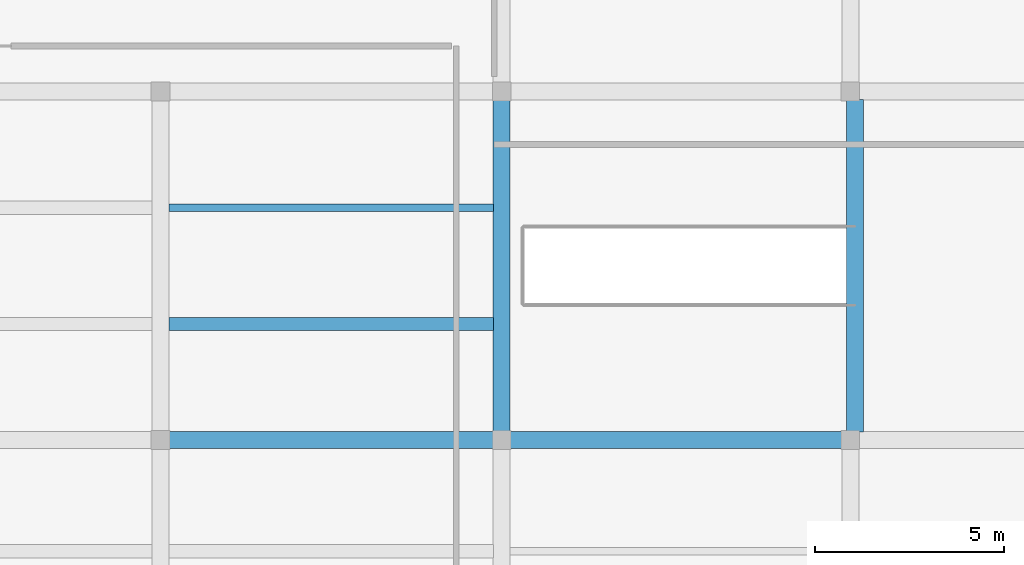
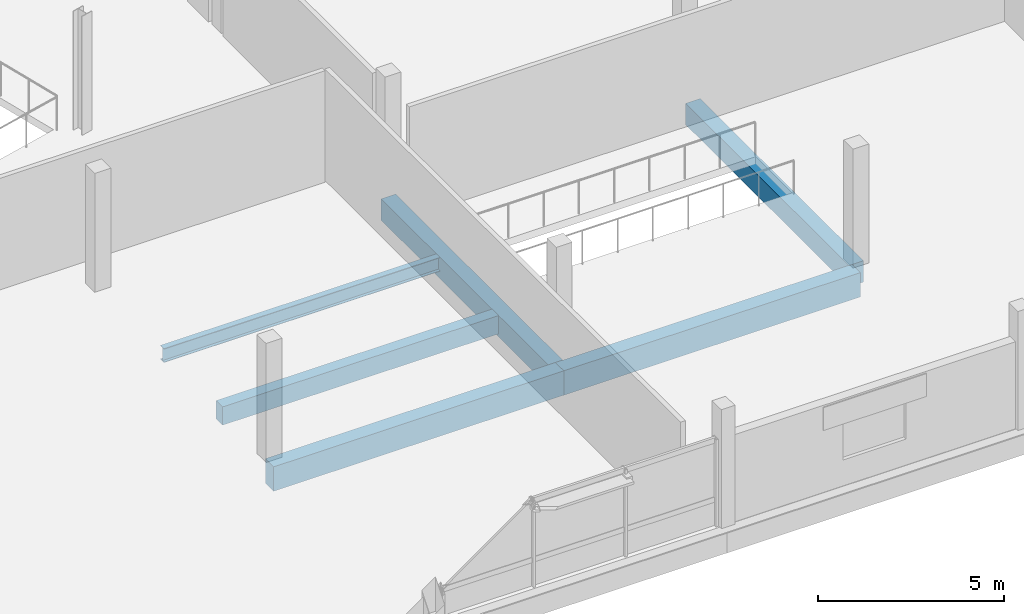
# One storey, part 13 of 62: 6 beams.
"""IFC4 building model written with IfcOpenShell, lengths in metres."""

from ifc_helpers import new_model, si_unit, direction, frame, origin, origin_2d, place, context, subcontext, project, spatial, rectangle, i_section, extrude, material, material_profile, profile_set, type_object, element, save


model = new_model("IFC4")

# Units and contexts
model_context = context("Model", 3, precision=1e-05, world=origin(), true_north=direction((0.0, 1.0)))
body_context = subcontext(model_context, "Body", "Model", "MODEL_VIEW")
ifc_project = project(units=[si_unit("LENGTHUNIT", "METRE"), si_unit("AREAUNIT", "SQUARE_METRE"), si_unit("VOLUMEUNIT", "CUBIC_METRE"), si_unit("PLANEANGLEUNIT", "RADIAN"), si_unit("MASSUNIT", "GRAM", prefix="KILO")], contexts=[model_context])

# Site, building, storey
site_placement = place(None, origin())
site = spatial("IfcSite", under=ifc_project, at=site_placement, CompositionType="ELEMENT")
building_placement = place(site_placement, origin())
building = spatial("IfcBuilding", under=site, at=building_placement, Name="Meriwether Solvik Hall", CompositionType="ELEMENT")
storey_placement = place(building_placement, frame((0.0, 0.0, 14.39990234375)))
storey = spatial("IfcBuildingStorey", under=building, at=storey_placement, Name="L03", CompositionType="ELEMENT", Elevation=14.39990234375)

# Beams
ifc_material_1 = material(Name="Concrete C40/50", Category="concrete")
ifc_material_profile_1 = material_profile(ifc_material_1, rectangle(XDim=0.35009765625, YDim=0.60009765625, at=origin_2d()), Name="RCB-350X600")
ifc_profile_set_1 = profile_set([ifc_material_profile_1], Name="Concrete C40/50")
beam_type_1 = type_object("IfcBeamType", Name="BM-RC-350X600", PredefinedType="JOIST", material=ifc_profile_set_1)
beam_1_placement = place(storey_placement, frame((87.02001953125, 17.066650390625, -0.544921875), z_axis=(1.0, 0.0, 0.0), x_axis=(0.0, 1.0, 0.0)))
element("IfcBeam", 1, at=beam_1_placement, inside=storey, type_object=beam_type_1, Name="Secondary Floor Joist 10/B_J1 (L03)", PredefinedType="JOIST", context=body_context, shape_type="SweptSolid", body=[
    extrude(rectangle(XDim=0.35009765625, YDim=0.60009765625, at=origin_2d()), origin(), (0.0, 0.0, 1.0), 8.56005859375),
])
ifc_material_2 = material(Name="Concrete C40/50", Category="concrete")
ifc_material_profile_2 = material_profile(ifc_material_2, rectangle(XDim=0.449951171875, YDim=0.699951171875, at=origin_2d()), Name="RCB-450X700")
ifc_profile_set_2 = profile_set([ifc_material_profile_2], Name="Concrete C40/50")
beam_type_2 = type_object("IfcBeamType", Name="BM-RC-450X700", PredefinedType="BEAM", material=ifc_profile_set_2)
beam_2_placement = place(storey_placement, frame((95.800048828125, 14.0, -0.594970703125), z_axis=(0.0, 1.0, 0.0), x_axis=(-1.0, 0.0, 0.0)))
element("IfcBeam", 2, at=beam_2_placement, inside=storey, type_object=beam_type_2, Name="Podium Girder 11:B-C (L03)", PredefinedType="BEAM", context=body_context, shape_type="SweptSolid", body=[
    extrude(rectangle(XDim=0.449951171875, YDim=0.699951171875, at=origin_2d()), origin(), (0.0, 0.0, 1.0), 9.199951171875),
])
beam_3_placement = place(storey_placement, frame((105.1201171875, 14.215087890625, -0.594970703125), z_axis=(0.0, 1.0, 0.0), x_axis=(-1.0, 0.0, 0.0)))
element("IfcBeam", 3, at=beam_3_placement, inside=storey, type_object=beam_type_2, Name="Stair ST-AT3 Top Trimmer Beam", PredefinedType="BEAM", context=body_context, shape_type="SweptSolid", body=[
    extrude(rectangle(XDim=0.449951171875, YDim=0.699951171875, at=origin_2d()), origin(), (0.0, 0.0, 1.0), 8.77001953125),
])
ifc_material_3 = material(Name="Concrete C40/50", Category="concrete")
ifc_material_profile_3 = material_profile(ifc_material_3, rectangle(XDim=0.449951171875, YDim=0.800048828125, at=origin_2d()), Name="RCB-450X800")
ifc_profile_set_3 = profile_set([ifc_material_profile_3], Name="Concrete C40/50")
beam_type_3 = type_object("IfcBeamType", Name="BM-RC-450X800", PredefinedType="BEAM", material=ifc_profile_set_3)
beam_4_placement = place(storey_placement, frame((86.800048828125, 14.0, -0.64501953125), z_axis=(1.0, 0.0, 0.0), x_axis=(0.0, 1.0, 0.0)))
element("IfcBeam", 4, at=beam_4_placement, inside=storey, type_object=beam_type_3, Name="Podium Girder B:10-11 (L03)", PredefinedType="BEAM", context=body_context, shape_type="SweptSolid", body=[
    extrude(rectangle(XDim=0.449951171875, YDim=0.800048828125, at=origin_2d()), origin(), (0.0, 0.0, 1.0), 9.0),
])
beam_5_placement = place(storey_placement, frame((95.800048828125, 14.0, -0.64501953125), z_axis=(1.0, 0.0, 0.0), x_axis=(0.0, 1.0, 0.0)))
element("IfcBeam", 5, at=beam_5_placement, inside=storey, type_object=beam_type_3, Name="Podium Girder B:11-12 (L03)", PredefinedType="BEAM", context=body_context, shape_type="SweptSolid", body=[
    extrude(rectangle(XDim=0.449951171875, YDim=0.800048828125, at=origin_2d()), origin(), (0.0, 0.0, 1.0), 9.199951171875),
])
ifc_material_4 = material(Name="Steel A992 Grade 50", Category="steel")
ifc_material_profile_4 = material_profile(ifc_material_4, i_section(OverallWidth=0.19091796875, OverallDepth=0.45703125, WebThickness=0.009033203125, FlangeThickness=0.014404296875, at=origin_2d()), Name="W18X50")
ifc_profile_set_4 = profile_set([ifc_material_profile_4], Name="Steel A992 Grade 50")
beam_type_4 = type_object("IfcBeamType", Name="BM-STL-W18X50", PredefinedType="JOIST", material=ifc_profile_set_4)
beam_6_placement = place(storey_placement, frame((87.02001953125, 20.13330078125, -0.473388671875), z_axis=(1.0, 0.0, 0.0), x_axis=(0.0, 1.0, 0.0)))
element("IfcBeam", 6, at=beam_6_placement, inside=storey, type_object=beam_type_4, Name="Secondary Floor Joist 10/B_J2 (L03)", PredefinedType="JOIST", context=body_context, shape_type="SweptSolid", body=[
    extrude(i_section(OverallWidth=0.19091796875, OverallDepth=0.45703125, WebThickness=0.009033203125, FlangeThickness=0.014404296875, at=origin_2d()), origin(), (0.0, 0.0, 1.0), 8.56005859375),
])

save(model, "model.ifc")
